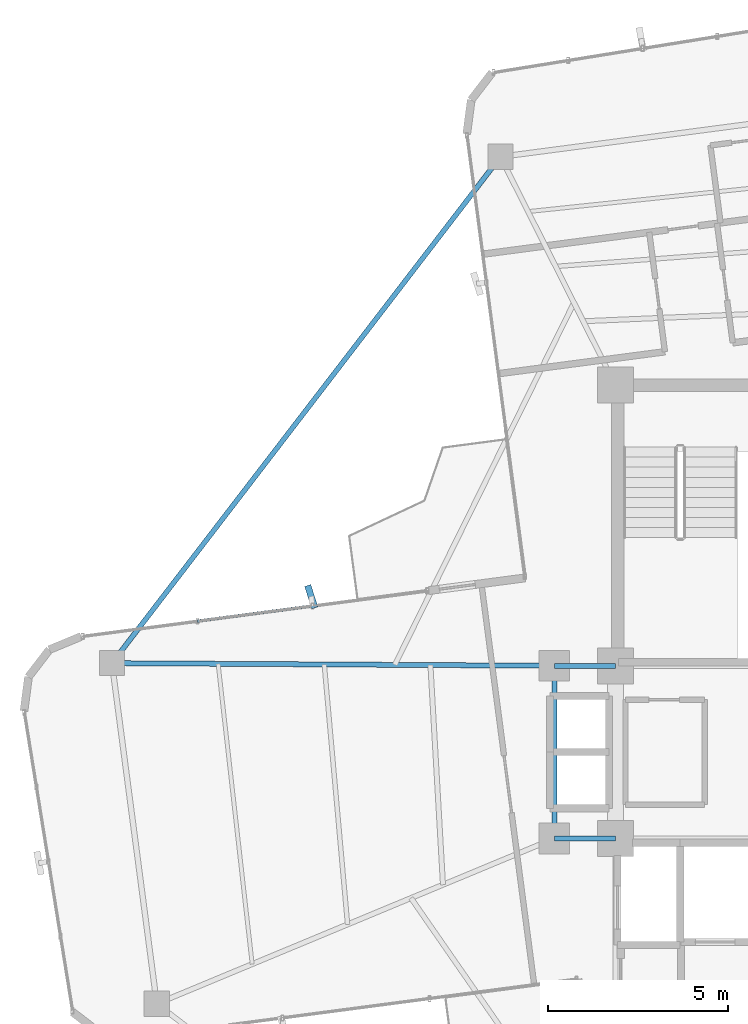
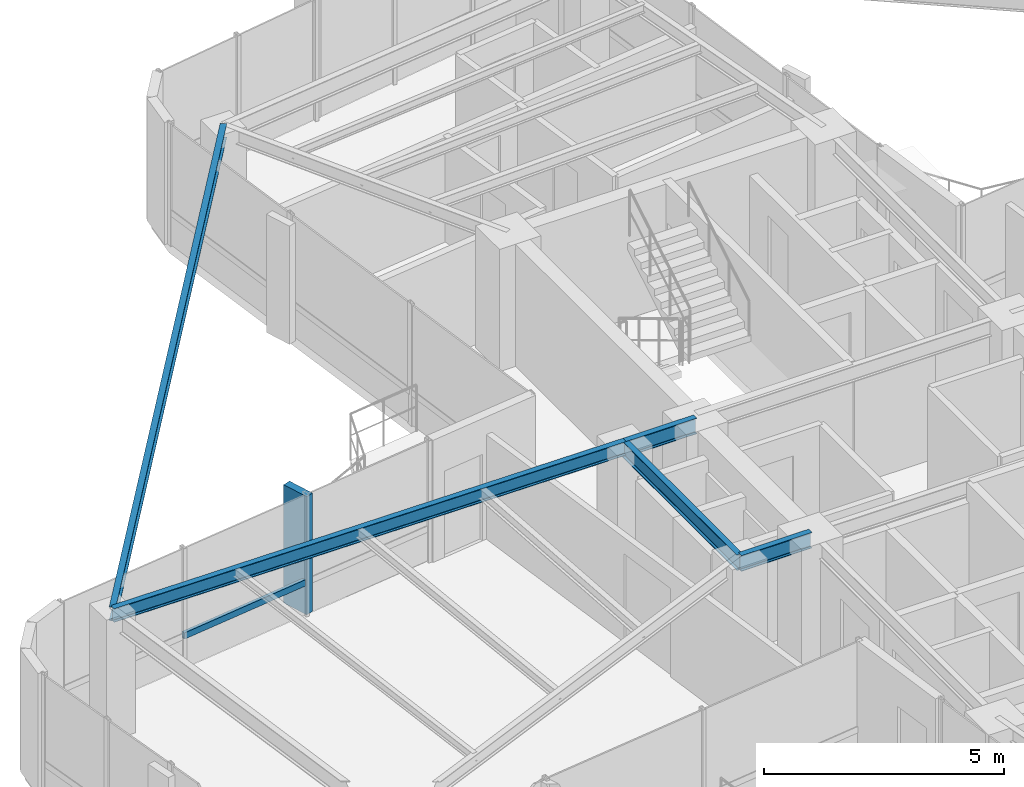
# One storey, part 8 of 22: 5 beams, 2 members, 1 element without a shape of its own.
"""IFC4 building model written with IfcOpenShell, lengths in metres."""

from ifc_helpers import new_model, si_unit, direction, frame, origin, origin_2d, place, context, subcontext, project, spatial, rectangle, hollow_rectangle, i_section, extrude, source, transform, mapped, material, material_profile, profile_set, type_object, element, aggregate, save


model = new_model("IFC4")

# Units and contexts
model_context = context("Model", 3, precision=1e-05, world=origin(), true_north=direction((0.0, 1.0)))
body_context = subcontext(model_context, "Body", "Model", "MODEL_VIEW")
ifc_project = project(units=[si_unit("LENGTHUNIT", "METRE"), si_unit("AREAUNIT", "SQUARE_METRE"), si_unit("VOLUMEUNIT", "CUBIC_METRE"), si_unit("PLANEANGLEUNIT", "RADIAN"), si_unit("MASSUNIT", "GRAM", prefix="KILO")], contexts=[model_context])

# Site, building, storey
site_placement = place(None, origin())
site = spatial("IfcSite", under=ifc_project, at=site_placement, CompositionType="ELEMENT")
building_placement = place(site_placement, origin())
building = spatial("IfcBuilding", under=site, at=building_placement, Name="Sahyath Konkavel Grand Hotel", CompositionType="ELEMENT")
storey_placement = place(building_placement, frame((0.0, 0.0, 237.800048828125)))
storey = spatial("IfcBuildingStorey", under=building, at=storey_placement, Name="L66", CompositionType="ELEMENT", Elevation=237.800048828125)

# Beams
ifc_material_1 = material(Name="Steel E350", Category="steel")
ifc_material_profile_1 = material_profile(ifc_material_1, i_section(OverallWidth=0.139892578125, OverallDepth=0.39990234375, WebThickness=0.0087890625, FlangeThickness=0.01611328125, FilletRadius=0.013916015625, at=origin_2d()), Name="ISMB 400")
ifc_profile_set_1 = profile_set([ifc_material_profile_1], Name="Steel E350")
beam_type_1 = type_object("IfcBeamType", Name="BM-ISMB400", PredefinedType="BEAM", material=ifc_profile_set_1)
shared_shape_1 = source(origin(), body_context, "Body", "SweptSolid", [
    extrude(i_section(OverallWidth=0.139892578125, OverallDepth=0.39990234375, WebThickness=0.0087890625, FlangeThickness=0.01611328125, FilletRadius=0.013916015625, at=origin_2d()), origin(), (0.0, 0.0, 1.0), 1.699951171875),
])
for number, where, z_axis, x_axis, name in (
    (1, (-5.5, 2.39990234375, 2.909912109375), (1.0, 0.0, 0.0), (0.0, 1.0, 0.0), "str:bm:L66:HB-NW"),
    (2, (-5.5, -2.39990234375, 2.909912109375), (1.0, 0.0, 0.0), (0.0, 1.0, 0.0), "str:bm:L66:HB-SW"),
):
    element("IfcBeam", number, at=place(storey_placement, frame(where, z_axis=z_axis, x_axis=x_axis)), inside=storey, type_object=beam_type_1, Name=name, PredefinedType="BEAM", context=body_context, shape_type="MappedRepresentation", body=[
        mapped(shared_shape_1, transform((0.0, 0.0, 0.0), scale=1.0)),
    ])
shared_shape_2 = source(origin(), body_context, "Body", "SweptSolid", [
    extrude(i_section(OverallWidth=0.139892578125, OverallDepth=0.39990234375, WebThickness=0.0087890625, FlangeThickness=0.01611328125, FilletRadius=0.013916015625, at=origin_2d()), origin(), (0.0, 0.0, 1.0), 4.7998046875),
])
beam_1_placement = place(storey_placement, frame((-5.5, -2.39990234375, 2.909912109375), z_axis=(0.0, 1.0, 0.0), x_axis=(-1.0, 0.0, 0.0)))
element("IfcBeam", 3, at=beam_1_placement, inside=storey, type_object=beam_type_1, Name="str:bm:L66:HB-W", PredefinedType="BEAM", context=body_context, shape_type="MappedRepresentation", body=[
    mapped(shared_shape_2, transform((0.0, 0.0, 0.0), scale=1.0)),
])
ifc_material_profile_2 = material_profile(ifc_material_1, i_section(OverallWidth=0.139892578125, OverallDepth=0.35009765625, WebThickness=0.008056640625, FlangeThickness=0.01416015625, FilletRadius=0.013916015625, at=origin_2d()), Name="ISMB 350")
ifc_profile_set_2 = profile_set([ifc_material_profile_2], Name="Steel E350")
beam_type_2 = type_object("IfcBeamType", Name="BM-ISMB350", PredefinedType="BEAM", material=ifc_profile_set_2)
shared_shape_3 = source(origin(), body_context, "Body", "SweptSolid", [
    extrude(i_section(OverallWidth=0.139892578125, OverallDepth=0.35009765625, WebThickness=0.008056640625, FlangeThickness=0.01416015625, FilletRadius=0.013916015625, at=origin_2d()), origin(), (0.0, 0.0, 1.0), 12.29541015625),
])
beam_2_placement = place(storey_placement, frame((-5.5, 2.39990234375, 2.93505859375), z_axis=(-0.999982139128, 0.005976740412, 0.0), x_axis=(-0.005976740412, -0.999982139128, 0.0)))
element("IfcBeam", 4, at=beam_2_placement, inside=storey, type_object=beam_type_2, Name="L66 Cruciform Radial Girder WA", PredefinedType="BEAM", context=body_context, shape_type="MappedRepresentation", body=[
    mapped(shared_shape_3, transform((0.0, 0.0, 0.0), scale=1.0)),
])
shared_shape_4 = source(origin(), body_context, "Body", "SweptSolid", [
    extrude(i_section(OverallWidth=0.139892578125, OverallDepth=0.35009765625, WebThickness=0.008056640625, FlangeThickness=0.01416015625, FilletRadius=0.013916015625, at=origin_2d()), origin(), (0.0, 0.0, 1.0), 17.741455078125),
])
beam_3_placement = place(storey_placement, frame((-6.994873046875, 16.548583984375, 2.93505859375), z_axis=(-0.60876198757, -0.793352911691, 0.0), x_axis=(0.793352911691, -0.60876198757, 0.0)))
element("IfcBeam", 5, at=beam_3_placement, inside=storey, type_object=beam_type_2, Name="L66 Re-Entrant Tie Beam NW", PredefinedType="BEAM", context=body_context, shape_type="MappedRepresentation", body=[
    mapped(shared_shape_4, transform((0.0, 0.0, 0.0), scale=1.0)),
])

# Curtain wall, members
ifc_material_2 = material(Name="Anodised Bronze Aluminium & Low-E Glazing", Category="aluminium")
curtain_wall_type = type_object("IfcCurtainWallType", Name="CW-ZONE4", PredefinedType="NOTDEFINED", material=ifc_material_2)
curtain_wall_placement = place(storey_placement, origin())
curtain_wall = element("IfcCurtainWall", 6, at=curtain_wall_placement, inside=storey, type_object=curtain_wall_type, Name="L66 Unitised Curtain Wall F16", PredefinedType="NOTDEFINED")
ifc_material_3 = material(Name="Warm Buff Sandstone Cladding on Concrete C50/60", Category="masonry")
ifc_material_profile_3 = material_profile(ifc_material_3, rectangle(XDim=0.179931640625, YDim=0.64990234375, at=origin_2d()), Name="FIN 180x650")
ifc_profile_set_3 = profile_set([ifc_material_profile_3], Name="Warm Buff Sandstone Cladding on Concrete C50/60")
member_type_1 = type_object("IfcMemberType", Name="FIN-SANDSTONE-650", PredefinedType="MULLION", material=ifc_profile_set_3)
shared_shape_5 = source(origin(), body_context, "Body", "SweptSolid", [
    extrude(rectangle(XDim=0.179931640625, YDim=0.64990234375, at=origin_2d()), origin(), (0.0, 0.0, 1.0), 3.010009765625),
])
member_1_placement = place(storey_placement, frame((-12.255615234375, 4.322509765625, 0.050048828125), z_axis=(0.0, 0.0, 1.0), x_axis=(0.952502159334, 0.304531831612, 0.0)))
member_1 = element("IfcMember", 7, at=member_1_placement, type_object=member_type_1, Name="L66 Sandstone Vertical Solar Fin FIN F16-1", PredefinedType="MULLION", context=body_context, shape_type="MappedRepresentation", body=[
    mapped(shared_shape_5, transform((0.0, 0.0, 0.0), scale=1.0)),
])
ifc_material_4 = material(Name="Anodised Bronze Aluminium", Category="aluminium")
ifc_material_profile_4 = material_profile(ifc_material_4, hollow_rectangle(XDim=0.080078125, YDim=0.159912109375, WallThickness=0.006103515625, at=origin_2d()), Name="RHS 160x80x6")
ifc_profile_set_4 = profile_set([ifc_material_profile_4], Name="Anodised Bronze Aluminium")
member_type_2 = type_object("IfcMemberType", Name="CW-TRN-160", PredefinedType="USERDEFINED", material=ifc_profile_set_4)
shared_shape_6 = source(origin(), body_context, "Body", "SweptSolid", [
    extrude(hollow_rectangle(XDim=0.080078125, YDim=0.159912109375, WallThickness=0.006103515625, at=origin_2d()), origin(), (0.0, 0.0, 1.0), 3.2216796875),
])
member_2_placement = place(storey_placement, frame((-12.2216796875, 4.064697265625, 0.849853515625), z_axis=(-0.99143907075, -0.130570168838, 0.0), x_axis=(0.130570168838, -0.99143907075, 0.0)))
member_2 = element("IfcMember", 8, at=member_2_placement, type_object=member_type_2, Name="L66 Curtain Wall Transom F16-1-spandrel", ObjectType="TRANSOM", PredefinedType="USERDEFINED", context=body_context, shape_type="MappedRepresentation", body=[
    mapped(shared_shape_6, transform((0.0, 0.0, 0.0), scale=1.0)),
])
aggregate(curtain_wall, [member_1, member_2])

save(model, "model.ifc")
